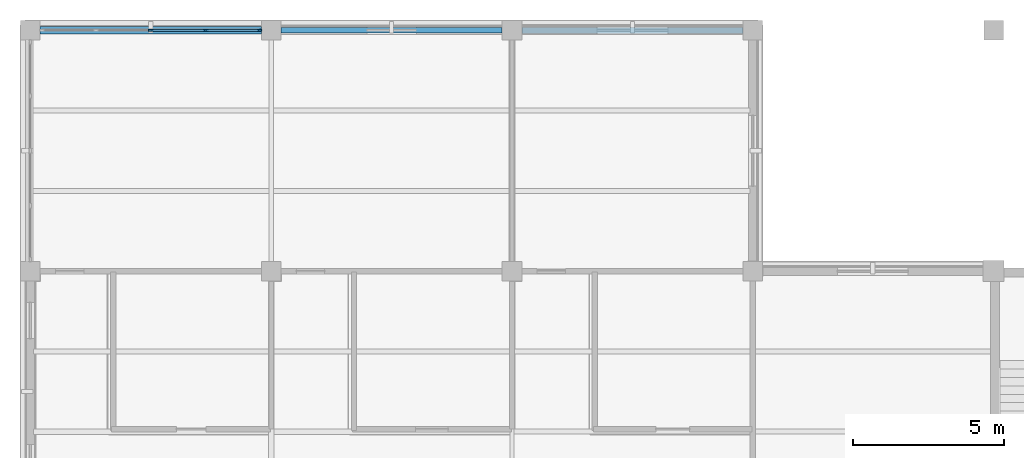
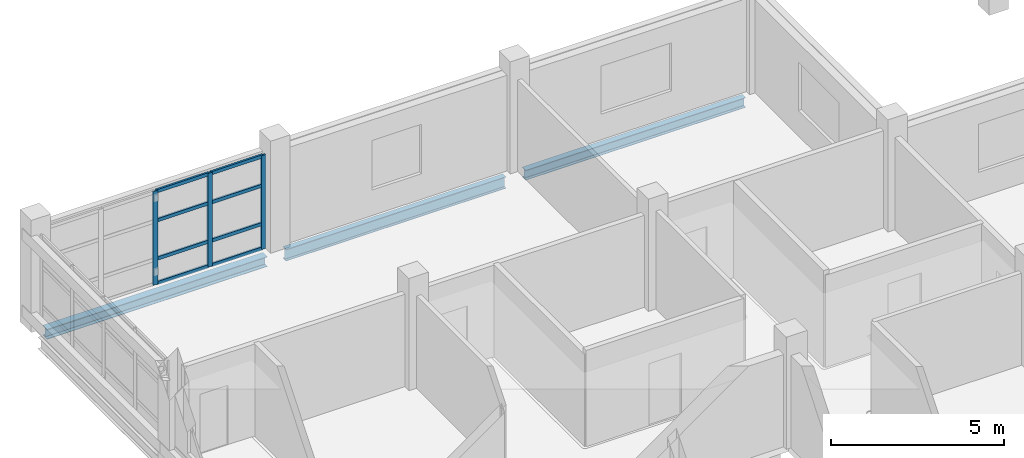
# One storey, part 28 of 92: 11 members, 3 beams, 1 element without a shape of its own.
"""IFC4 building model written with IfcOpenShell, lengths in metres."""

from ifc_helpers import new_model, si_unit, derived_unit, direction, frame, origin, origin_2d, place, context, subcontext, project, spatial, rectangle, i_section, extrude, material, layer, layer_set, material_profile, profile_set, type_object, element, aggregate, save


model = new_model("IFC4")

# Units and contexts
model_context = context("Model", 3, precision=1e-05, world=origin(), true_north=direction((0.0, 1.0)))
body_context = subcontext(model_context, "Body", "Model", "MODEL_VIEW")
ifc_project = project(units=[si_unit("LENGTHUNIT", "METRE"), si_unit("AREAUNIT", "SQUARE_METRE"), si_unit("VOLUMEUNIT", "CUBIC_METRE"), si_unit("PLANEANGLEUNIT", "RADIAN"), si_unit("MASSUNIT", "GRAM", prefix="KILO"), derived_unit("THERMALTRANSMITTANCEUNIT", [(si_unit("MASSUNIT", "GRAM", prefix="KILO"), 1), (si_unit("TIMEUNIT", "SECOND"), -3), (si_unit("THERMODYNAMICTEMPERATUREUNIT", "KELVIN"), -1)])], contexts=[model_context])

# Site, building, storey
site_placement = place(None, origin())
site = spatial("IfcSite", under=ifc_project, at=site_placement, CompositionType="ELEMENT")
building_placement = place(site_placement, origin())
building = spatial("IfcBuilding", under=site, at=building_placement, Name="Veyamyaing Civic Hall", CompositionType="ELEMENT")
storey_placement = place(building_placement, frame((0.0, 0.0, 17.820068359375)))
storey = spatial("IfcBuildingStorey", under=building, at=storey_placement, Name="L04", CompositionType="ELEMENT", Elevation=17.820068359375)

# Beams
ifc_material_1 = material(Name="Steel ASTM A992", Category="steel")
ifc_material_profile_1 = material_profile(ifc_material_1, i_section(OverallWidth=0.179931640625, OverallDepth=0.4130859375, WebThickness=0.009765625, FlangeThickness=0.01611328125, FilletRadius=0.010009765625, at=origin_2d()), Name="W410X74")
ifc_profile_set_1 = profile_set([ifc_material_profile_1], Name="Steel ASTM A992")
beam_type_1 = type_object("IfcBeamType", Name="B-10", PredefinedType="SPANDREL", material=ifc_profile_set_1)
beam_1_placement = place(storey_placement, frame((8.324951171875, 112.0, -0.441650390625), z_axis=(1.0, 0.0, 0.0), x_axis=(0.0, 1.0, 0.0)))
element("IfcBeam", 1, at=beam_1_placement, inside=storey, type_object=beam_type_1, Name="Girder B-10 L04 Grid Q 2-3", PredefinedType="SPANDREL", context=body_context, shape_type="SweptSolid", body=[
    extrude(i_section(OverallWidth=0.179931640625, OverallDepth=0.4130859375, WebThickness=0.009765625, FlangeThickness=0.01611328125, FilletRadius=0.010009765625, at=origin_2d()), origin(), (0.0, 0.0, 1.0), 7.35009765625),
])
ifc_material_profile_2 = material_profile(ifc_material_1, i_section(OverallWidth=0.2041015625, OverallDepth=0.35009765625, WebThickness=0.0078125, FlangeThickness=0.01513671875, FilletRadius=0.010009765625, at=origin_2d()), Name="W360X72")
ifc_profile_set_2 = profile_set([ifc_material_profile_2], Name="Steel ASTM A992")
beam_type_2 = type_object("IfcBeamType", Name="B-11", PredefinedType="SPANDREL", material=ifc_profile_set_2)
beam_2_placement = place(storey_placement, frame((16.324951171875, 112.0, -0.41015625), z_axis=(1.0, 0.0, 0.0), x_axis=(0.0, 1.0, 0.0)))
element("IfcBeam", 2, at=beam_2_placement, inside=storey, type_object=beam_type_2, Name="Girder B-11 L04 Grid Q 3-4", PredefinedType="SPANDREL", context=body_context, shape_type="SweptSolid", body=[
    extrude(i_section(OverallWidth=0.2041015625, OverallDepth=0.35009765625, WebThickness=0.0078125, FlangeThickness=0.01513671875, FilletRadius=0.010009765625, at=origin_2d()), origin(), (0.0, 0.0, 1.0), 7.35009765625),
])
ifc_material_profile_3 = material_profile(ifc_material_1, i_section(OverallWidth=0.25390625, OverallDepth=0.35302734375, WebThickness=0.009521484375, FlangeThickness=0.016357421875, FilletRadius=0.011962890625, at=origin_2d()), Name="W360X91")
ifc_profile_set_3 = profile_set([ifc_material_profile_3], Name="Steel ASTM A992")
beam_type_3 = type_object("IfcBeamType", Name="B-20", PredefinedType="SPANDREL", material=ifc_profile_set_3)
beam_3_placement = place(storey_placement, frame((0.324951171875, 112.0, -0.41162109375), z_axis=(1.0, 0.0, 0.0), x_axis=(0.0, 1.0, 0.0)))
element("IfcBeam", 3, at=beam_3_placement, inside=storey, type_object=beam_type_3, Name="Girder B-20 L04 Grid Q 1-2", PredefinedType="SPANDREL", context=body_context, shape_type="SweptSolid", body=[
    extrude(i_section(OverallWidth=0.25390625, OverallDepth=0.35302734375, WebThickness=0.009521484375, FlangeThickness=0.016357421875, FilletRadius=0.011962890625, at=origin_2d()), origin(), (0.0, 0.0, 1.0), 7.35009765625),
])

# Curtain wall, members
ifc_material_2 = material(Name="Anodised aluminium 6063-T6", Category="aluminium")
ifc_layer = layer(ifc_material_2, 0.159912109375, Name="Anodised aluminium 6063-T6")
ifc_layer_set = layer_set([ifc_layer], Name="Anodised aluminium 6063-T6")
curtain_wall_type = type_object("IfcCurtainWallType", Name="CW-08", PredefinedType="NOTDEFINED", material=ifc_layer_set)
curtain_wall_placement = place(storey_placement, origin())
curtain_wall = element("IfcCurtainWall", 4, at=curtain_wall_placement, inside=storey, type_object=curtain_wall_type, Name="Unitized curtain wall CW-08 L04 N 1.14", PredefinedType="NOTDEFINED")
ifc_material_profile_4 = material_profile(ifc_material_2, rectangle(XDim=0.06494140625, YDim=0.159912109375, at=origin_2d()), Name="ALU-MUL-65X160")
ifc_profile_set_4 = profile_set([ifc_material_profile_4], Name="Anodised aluminium 6063-T6")
member_type_1 = type_object("IfcMemberType", Name="CWM-01", PredefinedType="MULLION", material=ifc_profile_set_4)
member_1_placement = place(storey_placement, frame((4.0, 112.0, 0.0), z_axis=(0.0, 0.0, 1.0), x_axis=(0.0, 1.0, 0.0)))
member_1 = element("IfcMember", 5, at=member_1_placement, type_object=member_type_1, Name="CW-08 mullion 3", PredefinedType="MULLION", context=body_context, shape_type="SweptSolid", body=[
    extrude(rectangle(XDim=0.06494140625, YDim=0.159912109375, at=origin_2d()), origin(), (0.0, 0.0, 1.0), 3.31396484375),
])
member_2_placement = place(storey_placement, frame((5.822509765625, 112.0, 0.0), z_axis=(0.0, 0.0, 1.0), x_axis=(0.0, 1.0, 0.0)))
member_2 = element("IfcMember", 6, at=member_2_placement, type_object=member_type_1, Name="CW-08 mullion 4", PredefinedType="MULLION", context=body_context, shape_type="SweptSolid", body=[
    extrude(rectangle(XDim=0.06494140625, YDim=0.159912109375, at=origin_2d()), origin(), (0.0, 0.0, 1.0), 3.31396484375),
])
member_3_placement = place(storey_placement, frame((7.612548828125, 112.0, 0.0), z_axis=(0.0, 0.0, 1.0), x_axis=(0.0, 1.0, 0.0)))
member_3 = element("IfcMember", 7, at=member_3_placement, type_object=member_type_1, Name="CW-08 mullion 5", PredefinedType="MULLION", context=body_context, shape_type="SweptSolid", body=[
    extrude(rectangle(XDim=0.06494140625, YDim=0.159912109375, at=origin_2d()), origin(), (0.0, 0.0, 1.0), 3.31396484375),
])
ifc_material_profile_5 = material_profile(ifc_material_2, rectangle(XDim=0.06494140625, YDim=0.1201171875, at=origin_2d()), Name="ALU-TRN-65X120")
ifc_profile_set_5 = profile_set([ifc_material_profile_5], Name="Anodised aluminium 6063-T6")
member_type_2 = type_object("IfcMemberType", Name="CWT-01", PredefinedType="USERDEFINED", material=ifc_profile_set_5)
member_4_placement = place(storey_placement, frame((4.032470703125, 112.0, 0.032470703125), z_axis=(1.0, 0.0, 0.0), x_axis=(0.0, 1.0, 0.0)))
member_4 = element("IfcMember", 8, at=member_4_placement, type_object=member_type_2, Name="CW-08 transom 3.1", ObjectType="TRANSOM", PredefinedType="USERDEFINED", context=body_context, shape_type="SweptSolid", body=[
    extrude(rectangle(XDim=0.06494140625, YDim=0.1201171875, at=origin_2d()), origin(), (0.0, 0.0, 1.0), 1.757568359375),
])
member_5_placement = place(storey_placement, frame((4.032470703125, 112.0, 0.89990234375), z_axis=(1.0, 0.0, 0.0), x_axis=(0.0, 1.0, 0.0)))
member_5 = element("IfcMember", 9, at=member_5_placement, type_object=member_type_2, Name="CW-08 transom 3.2", ObjectType="TRANSOM", PredefinedType="USERDEFINED", context=body_context, shape_type="SweptSolid", body=[
    extrude(rectangle(XDim=0.06494140625, YDim=0.1201171875, at=origin_2d()), origin(), (0.0, 0.0, 1.0), 1.757568359375),
])
member_6_placement = place(storey_placement, frame((4.032470703125, 112.0, 2.25341796875), z_axis=(1.0, 0.0, 0.0), x_axis=(0.0, 1.0, 0.0)))
member_6 = element("IfcMember", 10, at=member_6_placement, type_object=member_type_2, Name="CW-08 transom 3.3", ObjectType="TRANSOM", PredefinedType="USERDEFINED", context=body_context, shape_type="SweptSolid", body=[
    extrude(rectangle(XDim=0.06494140625, YDim=0.1201171875, at=origin_2d()), origin(), (0.0, 0.0, 1.0), 1.757568359375),
])
member_7_placement = place(storey_placement, frame((4.032470703125, 112.0, 3.281494140625), z_axis=(1.0, 0.0, 0.0), x_axis=(0.0, 1.0, 0.0)))
member_7 = element("IfcMember", 11, at=member_7_placement, type_object=member_type_2, Name="CW-08 transom 3.4", ObjectType="TRANSOM", PredefinedType="USERDEFINED", context=body_context, shape_type="SweptSolid", body=[
    extrude(rectangle(XDim=0.06494140625, YDim=0.1201171875, at=origin_2d()), origin(), (0.0, 0.0, 1.0), 1.757568359375),
])
member_8_placement = place(storey_placement, frame((5.85498046875, 112.0, 0.032470703125), z_axis=(1.0, 0.0, 0.0), x_axis=(0.0, 1.0, 0.0)))
member_8 = element("IfcMember", 12, at=member_8_placement, type_object=member_type_2, Name="CW-08 transom 4.1", ObjectType="TRANSOM", PredefinedType="USERDEFINED", context=body_context, shape_type="SweptSolid", body=[
    extrude(rectangle(XDim=0.06494140625, YDim=0.1201171875, at=origin_2d()), origin(), (0.0, 0.0, 1.0), 1.72509765625),
])
member_9_placement = place(storey_placement, frame((5.85498046875, 112.0, 0.89990234375), z_axis=(1.0, 0.0, 0.0), x_axis=(0.0, 1.0, 0.0)))
member_9 = element("IfcMember", 13, at=member_9_placement, type_object=member_type_2, Name="CW-08 transom 4.2", ObjectType="TRANSOM", PredefinedType="USERDEFINED", context=body_context, shape_type="SweptSolid", body=[
    extrude(rectangle(XDim=0.06494140625, YDim=0.1201171875, at=origin_2d()), origin(), (0.0, 0.0, 1.0), 1.72509765625),
])
member_10_placement = place(storey_placement, frame((5.85498046875, 112.0, 2.25341796875), z_axis=(1.0, 0.0, 0.0), x_axis=(0.0, 1.0, 0.0)))
member_10 = element("IfcMember", 14, at=member_10_placement, type_object=member_type_2, Name="CW-08 transom 4.3", ObjectType="TRANSOM", PredefinedType="USERDEFINED", context=body_context, shape_type="SweptSolid", body=[
    extrude(rectangle(XDim=0.06494140625, YDim=0.1201171875, at=origin_2d()), origin(), (0.0, 0.0, 1.0), 1.72509765625),
])
member_11_placement = place(storey_placement, frame((5.85498046875, 112.0, 3.281494140625), z_axis=(1.0, 0.0, 0.0), x_axis=(0.0, 1.0, 0.0)))
member_11 = element("IfcMember", 15, at=member_11_placement, type_object=member_type_2, Name="CW-08 transom 4.4", ObjectType="TRANSOM", PredefinedType="USERDEFINED", context=body_context, shape_type="SweptSolid", body=[
    extrude(rectangle(XDim=0.06494140625, YDim=0.1201171875, at=origin_2d()), origin(), (0.0, 0.0, 1.0), 1.72509765625),
])
aggregate(curtain_wall, [member_1, member_2, member_3, member_4, member_5, member_6, member_7, member_8, member_9, member_10, member_11])

save(model, "model.ifc")
